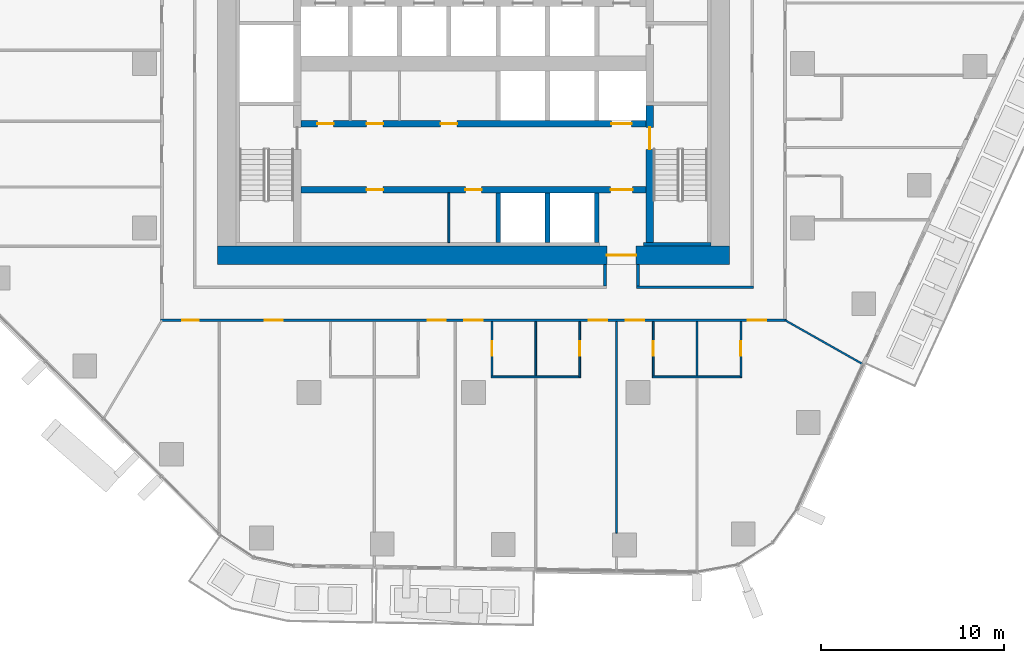
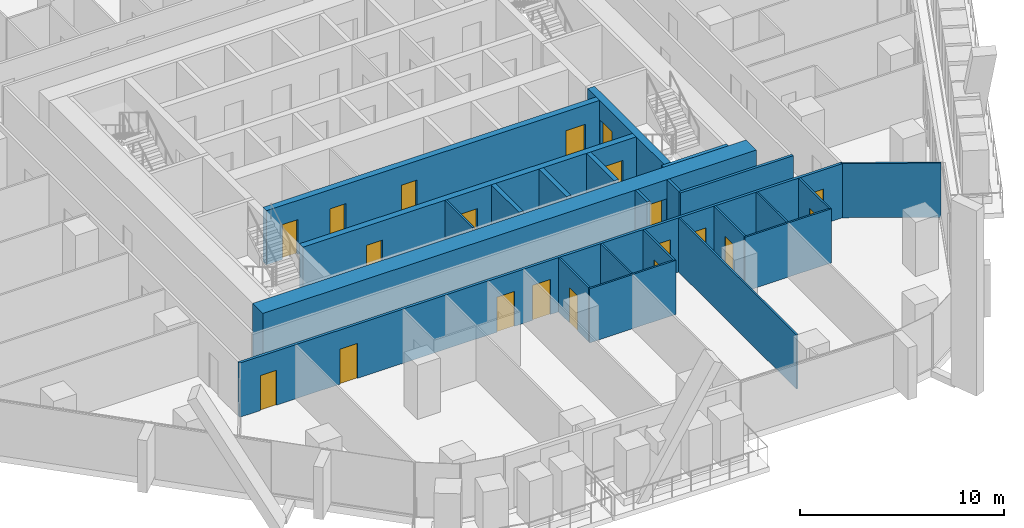
# One storey, part 14 of 26: 23 walls, 20 doors, 20 openings.
"""IFC4 building model written with IfcOpenShell, lengths in metres."""

from ifc_helpers import new_model, si_unit, direction, frame, frame_2d, origin, place, context, subcontext, project, spatial, rectangle, extrude, material, layer, layer_set, type_object, element, fill, save


model = new_model("IFC4")

# Units and contexts
model_context = context("Model", 3, precision=1e-05, world=origin(), true_north=direction((0.0, 1.0)))
body_context = subcontext(model_context, "Body", "Model", "MODEL_VIEW")
ifc_project = project(units=[si_unit("LENGTHUNIT", "METRE"), si_unit("AREAUNIT", "SQUARE_METRE"), si_unit("VOLUMEUNIT", "CUBIC_METRE"), si_unit("PLANEANGLEUNIT", "RADIAN"), si_unit("MASSUNIT", "GRAM", prefix="KILO")], contexts=[model_context])

# Site, building, storey
site_placement = place(None, origin())
site = spatial("IfcSite", under=ifc_project, at=site_placement, CompositionType="ELEMENT")
building_placement = place(site_placement, origin())
building = spatial("IfcBuilding", under=site, at=building_placement, Name="Dongbaek Canopy Tower", CompositionType="ELEMENT")
storey_placement = place(building_placement, frame((0.0, 0.0, 95.199951171875)))
storey = spatial("IfcBuildingStorey", under=building, at=storey_placement, Name="L19", CompositionType="ELEMENT", Elevation=95.199951171875)

# Wall, openings, doors
ifc_material_1 = material(Name="Concrete C60/75", Category="concrete")
ifc_layer_1 = layer(ifc_material_1, 0.35009765625)
ifc_layer_set_1 = layer_set([ifc_layer_1], Name="Core lobby wall 350 Concrete C60/75")
wall_type_1 = type_object("IfcWallType", Name="Core lobby wall 350 Concrete C60/75", PredefinedType="SHEAR", material=ifc_layer_set_1)
wall_1_placement = place(storey_placement, frame((-9.449951171875, -3.300048828125, 0.0), z_axis=(0.0, 0.0, 1.0), x_axis=(1.0, 0.0, 0.0)))
wall_1 = element("IfcWall", 1, at=wall_1_placement, inside=storey, type_object=wall_type_1, Name="Core wall", PredefinedType="SHEAR", context=body_context, shape_type="SweptSolid", body=[
    extrude(rectangle(XDim=18.89990234375, YDim=0.35009765625, at=frame_2d((9.449951171875, 0.0))), origin(), (0.0, 0.0, 1.0), 3.25),
])
opening_1_placement = place(wall_1_placement, frame((17.0, 0.0, 0.0)))
opening_1 = element("IfcOpeningElement", 2, at=opening_1_placement, cuts=wall_1, Name="Opening L19-D057", PredefinedType="OPENING", context=body_context, shape_type="SweptSolid", body=[
    extrude(rectangle(XDim=1.10009765625, YDim=2.10009765625, at=frame_2d((0.550048828125, 1.050048828125))), frame((0.0, 0.18505859375, 0.0), z_axis=(0.0, -1.0, 0.0), x_axis=(1.0, 0.0, 0.0)), (0.0, 0.0, 1.0), 0.3701171875),
])
opening_2_placement = place(wall_1_placement, frame((0.89990234375, 0.0, 0.0)))
opening_2 = element("IfcOpeningElement", 3, at=opening_2_placement, cuts=wall_1, Name="Opening L19-D060", PredefinedType="OPENING", context=body_context, shape_type="SweptSolid", body=[
    extrude(rectangle(XDim=0.89990234375, YDim=2.10009765625, at=frame_2d((0.449951171875, 1.050048828125))), frame((0.0, 0.18505859375, 0.0), z_axis=(0.0, -1.0, 0.0), x_axis=(1.0, 0.0, 0.0)), (0.0, 0.0, 1.0), 0.3701171875),
])
opening_3_placement = place(wall_1_placement, frame((3.60009765625, 0.0, 0.0)))
opening_3 = element("IfcOpeningElement", 4, at=opening_3_placement, cuts=wall_1, Name="Opening L19-D061", PredefinedType="OPENING", context=body_context, shape_type="SweptSolid", body=[
    extrude(rectangle(XDim=0.89990234375, YDim=2.10009765625, at=frame_2d((0.449951171875, 1.050048828125))), frame((0.0, 0.18505859375, 0.0), z_axis=(0.0, -1.0, 0.0), x_axis=(1.0, 0.0, 0.0)), (0.0, 0.0, 1.0), 0.3701171875),
])
opening_4_placement = place(wall_1_placement, frame((7.64990234375, 0.0, 0.0)))
opening_4 = element("IfcOpeningElement", 5, at=opening_4_placement, cuts=wall_1, Name="Opening L19-D062", PredefinedType="OPENING", context=body_context, shape_type="SweptSolid", body=[
    extrude(rectangle(XDim=0.89990234375, YDim=2.10009765625, at=frame_2d((0.449951171875, 1.050048828125))), frame((0.0, 0.18505859375, 0.0), z_axis=(0.0, -1.0, 0.0), x_axis=(1.0, 0.0, 0.0)), (0.0, 0.0, 1.0), 0.3701171875),
])
ifc_material_2 = material(Name="Steel", Category="steel")
door_type_1 = type_object("IfcDoorType", Name="Core room door 900 x 2100", OperationType="SINGLE_SWING_LEFT", PredefinedType="DOOR", material=ifc_material_2)
door_1_placement = place(opening_2_placement, origin())
door_1 = element("IfcDoor", 6, at=door_1_placement, inside=storey, type_object=door_type_1, Name="Door L19-D060", OperationType="SINGLE_SWING_RIGHT", OverallHeight=2.10009765625, OverallWidth=0.89990234375, PredefinedType="DOOR", context=body_context, shape_type="SweptSolid", body=[
    extrude(rectangle(XDim=0.89990234375, YDim=2.10009765625, at=frame_2d((0.449951171875, 1.050048828125))), frame((0.0, 0.02490234375, 0.0), z_axis=(0.0, -1.0, 0.0), x_axis=(1.0, 0.0, 0.0)), (0.0, 0.0, 1.0), 0.050048828125),
])
fill(opening_2, door_1)
door_2_placement = place(opening_3_placement, origin())
door_2 = element("IfcDoor", 7, at=door_2_placement, inside=storey, type_object=door_type_1, Name="Door L19-D061", OperationType="SINGLE_SWING_LEFT", OverallHeight=2.10009765625, OverallWidth=0.89990234375, PredefinedType="DOOR", context=body_context, shape_type="SweptSolid", body=[
    extrude(rectangle(XDim=0.89990234375, YDim=2.10009765625, at=frame_2d((0.449951171875, 1.050048828125))), frame((0.0, 0.02490234375, 0.0), z_axis=(0.0, -1.0, 0.0), x_axis=(1.0, 0.0, 0.0)), (0.0, 0.0, 1.0), 0.050048828125),
])
fill(opening_3, door_2)
door_3_placement = place(opening_4_placement, origin())
door_3 = element("IfcDoor", 8, at=door_3_placement, inside=storey, type_object=door_type_1, Name="Door L19-D062", OperationType="SINGLE_SWING_RIGHT", OverallHeight=2.10009765625, OverallWidth=0.89990234375, PredefinedType="DOOR", context=body_context, shape_type="SweptSolid", body=[
    extrude(rectangle(XDim=0.89990234375, YDim=2.10009765625, at=frame_2d((0.449951171875, 1.050048828125))), frame((0.0, 0.02490234375, 0.0), z_axis=(0.0, -1.0, 0.0), x_axis=(1.0, 0.0, 0.0)), (0.0, 0.0, 1.0), 0.050048828125),
])
fill(opening_4, door_3)
ifc_material_3 = material(Name="Stainless steel", Category="steel")
door_type_2 = type_object("IfcDoorType", Name="Lift landing door 1100 x 2100", OperationType="DOUBLE_DOOR_SLIDING", PredefinedType="DOOR", material=ifc_material_3)
door_4_placement = place(opening_1_placement, origin())
door_4 = element("IfcDoor", 9, at=door_4_placement, inside=storey, type_object=door_type_2, Name="Landing door SV2", OperationType="DOUBLE_DOOR_SLIDING", OverallHeight=2.10009765625, OverallWidth=1.10009765625, PredefinedType="DOOR", context=body_context, shape_type="SweptSolid", body=[
    extrude(rectangle(XDim=1.10009765625, YDim=2.10009765625, at=frame_2d((0.550048828125, 1.050048828125))), frame((0.0, 0.02490234375, 0.0), z_axis=(0.0, -1.0, 0.0), x_axis=(1.0, 0.0, 0.0)), (0.0, 0.0, 1.0), 0.050048828125),
])
fill(opening_1, door_4)

wall_2_placement = place(storey_placement, frame((9.449951171875, -6.89990234375, 0.0), z_axis=(0.0, 0.0, 1.0), x_axis=(-1.0, 0.0, 0.0)))
wall_2 = element("IfcWall", 10, at=wall_2_placement, inside=storey, type_object=wall_type_1, Name="Core wall", PredefinedType="SHEAR", context=body_context, shape_type="SweptSolid", body=[
    extrude(rectangle(XDim=18.89990234375, YDim=0.35009765625, at=frame_2d((9.449951171875, 0.0))), origin(), (0.0, 0.0, 1.0), 3.25),
])
opening_5_placement = place(wall_2_placement, frame((0.75, 0.0, 0.0)))
opening_5 = element("IfcOpeningElement", 11, at=opening_5_placement, cuts=wall_2, Name="Opening L19-D059", PredefinedType="OPENING", context=body_context, shape_type="SweptSolid", body=[
    extrude(rectangle(XDim=1.199951171875, YDim=2.10009765625, at=frame_2d((0.60009765625, 1.050048828125))), frame((0.0, 0.18505859375, 0.0), z_axis=(0.0, -1.0, 0.0), x_axis=(1.0, 0.0, 0.0)), (0.0, 0.0, 1.0), 0.3701171875),
])
opening_6_placement = place(wall_2_placement, frame((14.39990234375, 0.0, 0.0)))
opening_6 = element("IfcOpeningElement", 12, at=opening_6_placement, cuts=wall_2, Name="Opening L19-D063", PredefinedType="OPENING", context=body_context, shape_type="SweptSolid", body=[
    extrude(rectangle(XDim=0.89990234375, YDim=2.10009765625, at=frame_2d((0.449951171875, 1.050048828125))), frame((0.0, 0.18505859375, 0.0), z_axis=(0.0, -1.0, 0.0), x_axis=(1.0, 0.0, 0.0)), (0.0, 0.0, 1.0), 0.3701171875),
])
opening_7_placement = place(wall_2_placement, frame((9.0, 0.0, 0.0)))
opening_7 = element("IfcOpeningElement", 13, at=opening_7_placement, cuts=wall_2, Name="Opening L19-D064", PredefinedType="OPENING", context=body_context, shape_type="SweptSolid", body=[
    extrude(rectangle(XDim=0.89990234375, YDim=2.10009765625, at=frame_2d((0.449951171875, 1.050048828125))), frame((0.0, 0.18505859375, 0.0), z_axis=(0.0, -1.0, 0.0), x_axis=(1.0, 0.0, 0.0)), (0.0, 0.0, 1.0), 0.3701171875),
])
door_5_placement = place(opening_6_placement, origin())
door_5 = element("IfcDoor", 14, at=door_5_placement, inside=storey, type_object=door_type_1, Name="Door L19-D063", OperationType="SINGLE_SWING_LEFT", OverallHeight=2.10009765625, OverallWidth=0.89990234375, PredefinedType="DOOR", context=body_context, shape_type="SweptSolid", body=[
    extrude(rectangle(XDim=0.89990234375, YDim=2.10009765625, at=frame_2d((0.449951171875, 1.050048828125))), frame((0.0, 0.02490234375, 0.0), z_axis=(0.0, -1.0, 0.0), x_axis=(1.0, 0.0, 0.0)), (0.0, 0.0, 1.0), 0.050048828125),
])
fill(opening_6, door_5)
door_6_placement = place(opening_7_placement, origin())
door_6 = element("IfcDoor", 15, at=door_6_placement, inside=storey, type_object=door_type_1, Name="Door L19-D064", OperationType="SINGLE_SWING_RIGHT", OverallHeight=2.10009765625, OverallWidth=0.89990234375, PredefinedType="DOOR", context=body_context, shape_type="SweptSolid", body=[
    extrude(rectangle(XDim=0.89990234375, YDim=2.10009765625, at=frame_2d((0.449951171875, 1.050048828125))), frame((0.0, 0.02490234375, 0.0), z_axis=(0.0, -1.0, 0.0), x_axis=(1.0, 0.0, 0.0)), (0.0, 0.0, 1.0), 0.050048828125),
])
fill(opening_7, door_6)
ifc_material_4 = material(Name="Steel", Category="steel")
door_type_3 = type_object("IfcDoorType", Name="Fire lobby door 1200 x 2100", OperationType="SINGLE_SWING_LEFT", PredefinedType="DOOR", material=ifc_material_4)
door_7_placement = place(opening_5_placement, origin())
door_7 = element("IfcDoor", 16, at=door_7_placement, inside=storey, type_object=door_type_3, Name="Door L19-D059", OperationType="SINGLE_SWING_LEFT", OverallHeight=2.10009765625, OverallWidth=1.199951171875, PredefinedType="DOOR", context=body_context, shape_type="SweptSolid", body=[
    extrude(rectangle(XDim=1.199951171875, YDim=2.10009765625, at=frame_2d((0.60009765625, 1.050048828125))), frame((0.0, 0.02490234375, 0.0), z_axis=(0.0, -1.0, 0.0), x_axis=(1.0, 0.0, 0.0)), (0.0, 0.0, 1.0), 0.050048828125),
])
fill(opening_5, door_7)

# Wall, opening, door
ifc_material_5 = material(Name="Concrete C60/75", Category="concrete")
ifc_layer_2 = layer(ifc_material_5, 1.0)
ifc_layer_set_2 = layer_set([ifc_layer_2], Name="Core outer wall 1000 Concrete C60/75")
wall_type_2 = type_object("IfcWallType", Name="Core outer wall 1000 Concrete C60/75", PredefinedType="SHEAR", material=ifc_layer_set_2)
wall_3_placement = place(storey_placement, frame((14.0, -10.5, 0.0), z_axis=(0.0, 0.0, 1.0), x_axis=(-1.0, 0.0, 0.0)))
wall_3 = element("IfcWall", 17, at=wall_3_placement, inside=storey, type_object=wall_type_2, Name="Core wall", PredefinedType="SHEAR", context=body_context, shape_type="SweptSolid", body=[
    extrude(rectangle(XDim=28.0, YDim=1.0, at=frame_2d((14.0, 0.0))), origin(), (0.0, 0.0, 1.0), 3.25),
])
opening_8_placement = place(wall_3_placement, frame((5.10009765625, 0.0, 0.0)))
opening_8 = element("IfcOpeningElement", 18, at=opening_8_placement, cuts=wall_3, Name="Opening L19-D058", PredefinedType="OPENING", context=body_context, shape_type="SweptSolid", body=[
    extrude(rectangle(XDim=1.60009765625, YDim=2.10009765625, at=frame_2d((0.800048828125, 1.050048828125))), frame((0.0, 0.510009765625, 0.0), z_axis=(0.0, -1.0, 0.0), x_axis=(1.0, 0.0, 0.0)), (0.0, 0.0, 1.0), 1.02001953125),
])
ifc_material_6 = material(Name="Steel", Category="steel")
door_type_4 = type_object("IfcDoorType", Name="Core exit door 1600 x 2100", OperationType="DOUBLE_DOOR_SINGLE_SWING", PredefinedType="DOOR", material=ifc_material_6)
door_8_placement = place(opening_8_placement, origin())
door_8 = element("IfcDoor", 19, at=door_8_placement, inside=storey, type_object=door_type_4, Name="Core exit door", OperationType="DOUBLE_DOOR_SINGLE_SWING", OverallHeight=2.10009765625, OverallWidth=1.60009765625, PredefinedType="DOOR", context=body_context, shape_type="SweptSolid", body=[
    extrude(rectangle(XDim=1.60009765625, YDim=2.10009765625, at=frame_2d((0.800048828125, 1.050048828125))), frame((0.0, 0.02490234375, 0.0), z_axis=(0.0, -1.0, 0.0), x_axis=(1.0, 0.0, 0.0)), (0.0, 0.0, 1.0), 0.050048828125),
])
fill(opening_8, door_8)

# Wall
ifc_material_7 = material(Name="Concrete C60/75", Category="concrete")
ifc_layer_3 = layer(ifc_material_7, 0.199951171875)
ifc_layer_set_3 = layer_set([ifc_layer_3], Name="Core wall lining 200 Concrete C60/75")
wall_type_3 = type_object("IfcWallType", Name="Core wall lining 200 Concrete C60/75", PredefinedType="SHEAR", material=ifc_layer_set_3)
wall_4_placement = place(storey_placement, frame((13.0, -9.89990234375, 0.0), z_axis=(0.0, 0.0, 1.0), x_axis=(-1.0, 0.0, 0.0)))
element("IfcWall", 20, at=wall_4_placement, inside=storey, type_object=wall_type_3, Name="Core wall lining", PredefinedType="SHEAR", context=body_context, shape_type="SweptSolid", body=[
    extrude(rectangle(XDim=3.699951171875, YDim=0.199951171875, at=frame_2d((1.85009765625, 0.0))), origin(), (0.0, 0.0, 1.0), 3.25),
])

# Wall, openings, doors
ifc_material_8 = material(Name="Gypsum board partition, steel stud, 2 x 15 mm fire board", Category="steel")
ifc_layer_4 = layer(ifc_material_8, 0.14990234375)
ifc_layer_set_4 = layer_set([ifc_layer_4], Name="Fire-rated partition 150 gypsum board")
wall_type_4 = type_object("IfcWallType", Name="Fire-rated partition 150 gypsum board", PredefinedType="PARTITIONING", material=ifc_layer_set_4)
wall_5_placement = place(storey_placement, frame((17.125, -14.050048828125, 0.0), z_axis=(0.0, 0.0, 1.0), x_axis=(-1.0, 0.0, 0.0)))
wall_5 = element("IfcWall", 21, at=wall_5_placement, inside=storey, type_object=wall_type_4, Name="Corridor partition", PredefinedType="PARTITIONING", context=body_context, shape_type="SweptSolid", body=[
    extrude(rectangle(XDim=34.25, YDim=0.14990234375, at=frame_2d((17.125, 0.0))), origin(), (0.0, 0.0, 1.0), 3.25),
])
opening_9_placement = place(wall_5_placement, frame((32.158203125, 0.0, 0.0)))
opening_9 = element("IfcOpeningElement", 22, at=opening_9_placement, cuts=wall_5, Name="Opening L19-D004", PredefinedType="OPENING", context=body_context, shape_type="SweptSolid", body=[
    extrude(rectangle(XDim=0.89990234375, YDim=2.10009765625, at=frame_2d((0.449951171875, 1.050048828125))), frame((0.0, 0.0849609375, 0.0), z_axis=(0.0, -1.0, 0.0), x_axis=(1.0, 0.0, 0.0)), (0.0, 0.0, 1.0), 0.169921875),
])
opening_10_placement = place(wall_5_placement, frame((27.560791015625, 0.0, 0.0)))
opening_10 = element("IfcOpeningElement", 23, at=opening_10_placement, cuts=wall_5, Name="Opening L19-D006", PredefinedType="OPENING", context=body_context, shape_type="SweptSolid", body=[
    extrude(rectangle(XDim=1.0, YDim=2.10009765625, at=frame_2d((0.5, 1.050048828125))), frame((0.0, 0.0849609375, 0.0), z_axis=(0.0, -1.0, 0.0), x_axis=(1.0, 0.0, 0.0)), (0.0, 0.0, 1.0), 0.169921875),
])
opening_11_placement = place(wall_5_placement, frame((18.640380859375, 0.0, 0.0)))
opening_11 = element("IfcOpeningElement", 24, at=opening_11_placement, cuts=wall_5, Name="Opening L19-D008", PredefinedType="OPENING", context=body_context, shape_type="SweptSolid", body=[
    extrude(rectangle(XDim=1.0, YDim=2.10009765625, at=frame_2d((0.5, 1.050048828125))), frame((0.0, 0.0849609375, 0.0), z_axis=(0.0, -1.0, 0.0), x_axis=(1.0, 0.0, 0.0)), (0.0, 0.0, 1.0), 0.169921875),
])
opening_12_placement = place(wall_5_placement, frame((16.62353515625, 0.0, 0.0)))
opening_12 = element("IfcOpeningElement", 25, at=opening_12_placement, cuts=wall_5, Name="Opening L19-D010", PredefinedType="OPENING", context=body_context, shape_type="SweptSolid", body=[
    extrude(rectangle(XDim=1.0, YDim=2.10009765625, at=frame_2d((0.5, 1.050048828125))), frame((0.0, 0.0849609375, 0.0), z_axis=(0.0, -1.0, 0.0), x_axis=(1.0, 0.0, 0.0)), (0.0, 0.0, 1.0), 0.169921875),
])
opening_13_placement = place(wall_5_placement, frame((9.806640625, 0.0, 0.0)))
opening_13 = element("IfcOpeningElement", 26, at=opening_13_placement, cuts=wall_5, Name="Opening L19-D012", PredefinedType="OPENING", context=body_context, shape_type="SweptSolid", body=[
    extrude(rectangle(XDim=1.0, YDim=2.10009765625, at=frame_2d((0.5, 1.050048828125))), frame((0.0, 0.0849609375, 0.0), z_axis=(0.0, -1.0, 0.0), x_axis=(1.0, 0.0, 0.0)), (0.0, 0.0, 1.0), 0.169921875),
])
opening_14_placement = place(wall_5_placement, frame((7.794677734375, 0.0, 0.0)))
opening_14 = element("IfcOpeningElement", 27, at=opening_14_placement, cuts=wall_5, Name="Opening L19-D014", PredefinedType="OPENING", context=body_context, shape_type="SweptSolid", body=[
    extrude(rectangle(XDim=1.0, YDim=2.10009765625, at=frame_2d((0.5, 1.050048828125))), frame((0.0, 0.0849609375, 0.0), z_axis=(0.0, -1.0, 0.0), x_axis=(1.0, 0.0, 0.0)), (0.0, 0.0, 1.0), 0.169921875),
])
opening_15_placement = place(wall_5_placement, frame((1.119384765625, 0.0, 0.0)))
opening_15 = element("IfcOpeningElement", 28, at=opening_15_placement, cuts=wall_5, Name="Opening L19-D016", PredefinedType="OPENING", context=body_context, shape_type="SweptSolid", body=[
    extrude(rectangle(XDim=1.0, YDim=2.10009765625, at=frame_2d((0.5, 1.050048828125))), frame((0.0, 0.0849609375, 0.0), z_axis=(0.0, -1.0, 0.0), x_axis=(1.0, 0.0, 0.0)), (0.0, 0.0, 1.0), 0.169921875),
])
ifc_material_9 = material(Name="Timber veneered door leaf", Category="wood")
door_type_5 = type_object("IfcDoorType", Name="Guest room door 1000 x 2100", OperationType="SINGLE_SWING_LEFT", PredefinedType="DOOR", material=ifc_material_9)
door_9_placement = place(opening_10_placement, origin())
door_9 = element("IfcDoor", 29, at=door_9_placement, inside=storey, type_object=door_type_5, Name="Door L19-D006", OperationType="SINGLE_SWING_LEFT", OverallHeight=2.10009765625, OverallWidth=1.0, PredefinedType="DOOR", context=body_context, shape_type="SweptSolid", body=[
    extrude(rectangle(XDim=1.0, YDim=2.10009765625, at=frame_2d((0.5, 1.050048828125))), frame((0.0, 0.02490234375, 0.0), z_axis=(0.0, -1.0, 0.0), x_axis=(1.0, 0.0, 0.0)), (0.0, 0.0, 1.0), 0.050048828125),
])
fill(opening_10, door_9)
door_10_placement = place(opening_11_placement, origin())
door_10 = element("IfcDoor", 30, at=door_10_placement, inside=storey, type_object=door_type_5, Name="Door L19-D008", OperationType="SINGLE_SWING_RIGHT", OverallHeight=2.10009765625, OverallWidth=1.0, PredefinedType="DOOR", context=body_context, shape_type="SweptSolid", body=[
    extrude(rectangle(XDim=1.0, YDim=2.10009765625, at=frame_2d((0.5, 1.050048828125))), frame((0.0, 0.02490234375, 0.0), z_axis=(0.0, -1.0, 0.0), x_axis=(1.0, 0.0, 0.0)), (0.0, 0.0, 1.0), 0.050048828125),
])
fill(opening_11, door_10)
door_11_placement = place(opening_12_placement, origin())
door_11 = element("IfcDoor", 31, at=door_11_placement, inside=storey, type_object=door_type_5, Name="Door L19-D010", OperationType="SINGLE_SWING_LEFT", OverallHeight=2.10009765625, OverallWidth=1.0, PredefinedType="DOOR", context=body_context, shape_type="SweptSolid", body=[
    extrude(rectangle(XDim=1.0, YDim=2.10009765625, at=frame_2d((0.5, 1.050048828125))), frame((0.0, 0.02490234375, 0.0), z_axis=(0.0, -1.0, 0.0), x_axis=(1.0, 0.0, 0.0)), (0.0, 0.0, 1.0), 0.050048828125),
])
fill(opening_12, door_11)
door_12_placement = place(opening_13_placement, origin())
door_12 = element("IfcDoor", 32, at=door_12_placement, inside=storey, type_object=door_type_5, Name="Door L19-D012", OperationType="SINGLE_SWING_RIGHT", OverallHeight=2.10009765625, OverallWidth=1.0, PredefinedType="DOOR", context=body_context, shape_type="SweptSolid", body=[
    extrude(rectangle(XDim=1.0, YDim=2.10009765625, at=frame_2d((0.5, 1.050048828125))), frame((0.0, 0.02490234375, 0.0), z_axis=(0.0, -1.0, 0.0), x_axis=(1.0, 0.0, 0.0)), (0.0, 0.0, 1.0), 0.050048828125),
])
fill(opening_13, door_12)
door_13_placement = place(opening_14_placement, origin())
door_13 = element("IfcDoor", 33, at=door_13_placement, inside=storey, type_object=door_type_5, Name="Door L19-D014", OperationType="SINGLE_SWING_LEFT", OverallHeight=2.10009765625, OverallWidth=1.0, PredefinedType="DOOR", context=body_context, shape_type="SweptSolid", body=[
    extrude(rectangle(XDim=1.0, YDim=2.10009765625, at=frame_2d((0.5, 1.050048828125))), frame((0.0, 0.02490234375, 0.0), z_axis=(0.0, -1.0, 0.0), x_axis=(1.0, 0.0, 0.0)), (0.0, 0.0, 1.0), 0.050048828125),
])
fill(opening_14, door_13)
door_14_placement = place(opening_15_placement, origin())
door_14 = element("IfcDoor", 34, at=door_14_placement, inside=storey, type_object=door_type_5, Name="Door L19-D016", OperationType="SINGLE_SWING_RIGHT", OverallHeight=2.10009765625, OverallWidth=1.0, PredefinedType="DOOR", context=body_context, shape_type="SweptSolid", body=[
    extrude(rectangle(XDim=1.0, YDim=2.10009765625, at=frame_2d((0.5, 1.050048828125))), frame((0.0, 0.02490234375, 0.0), z_axis=(0.0, -1.0, 0.0), x_axis=(1.0, 0.0, 0.0)), (0.0, 0.0, 1.0), 0.050048828125),
])
fill(opening_15, door_14)
ifc_material_10 = material(Name="Timber veneered door leaf", Category="wood")
door_type_6 = type_object("IfcDoorType", Name="Room door 900 x 2100", OperationType="SINGLE_SWING_LEFT", PredefinedType="DOOR", material=ifc_material_10)
door_15_placement = place(opening_9_placement, origin())
door_15 = element("IfcDoor", 35, at=door_15_placement, inside=storey, type_object=door_type_6, Name="Door L19-D004", OperationType="SINGLE_SWING_RIGHT", OverallHeight=2.10009765625, OverallWidth=0.89990234375, PredefinedType="DOOR", context=body_context, shape_type="SweptSolid", body=[
    extrude(rectangle(XDim=0.89990234375, YDim=2.10009765625, at=frame_2d((0.449951171875, 1.050048828125))), frame((0.0, 0.02490234375, 0.0), z_axis=(0.0, -1.0, 0.0), x_axis=(1.0, 0.0, 0.0)), (0.0, 0.0, 1.0), 0.050048828125),
])
fill(opening_9, door_15)

# Walls
wall_6_placement = place(storey_placement, frame((8.925048828125, -12.25, 0.0), z_axis=(0.0, 0.0, 1.0), x_axis=(1.0, 0.0, 0.0)))
element("IfcWall", 36, at=wall_6_placement, inside=storey, type_object=wall_type_4, Name="Corridor partition", PredefinedType="PARTITIONING", context=body_context, shape_type="SweptSolid", body=[
    extrude(rectangle(XDim=6.39990234375, YDim=0.14990234375, at=frame_2d((3.199951171875, 0.0))), origin(), (0.0, 0.0, 1.0), 3.25),
])
for number, where, z_axis, x_axis, name in (
    (37, (9.0, -12.175048828125, 0.0), (0.0, 0.0, 1.0), (0.0, 1.0, 0.0), "Corridor partition"),
    (38, (7.199951171875, -12.175048828125, 0.0), (0.0, 0.0, 1.0), (0.0, 1.0, 0.0), "Corridor partition"),
):
    element("IfcWall", number, at=place(storey_placement, frame(where, z_axis=z_axis, x_axis=x_axis)), inside=storey, type_object=wall_type_4, Name=name, PredefinedType="PARTITIONING", context=body_context, shape_type="SweptSolid", body=[
        extrude(rectangle(XDim=1.175048828125, YDim=0.14990234375, at=frame_2d((0.58740234375, 0.0))), origin(), (0.0, 0.0, 1.0), 3.25),
    ])
ifc_material_11 = material(Name="Concrete C40/50", Category="concrete")
ifc_layer_5 = layer(ifc_material_11, 0.25)
ifc_layer_set_5 = layer_set([ifc_layer_5], Name="Lift shaft wall 250 Concrete C40/50")
wall_type_5 = type_object("IfcWallType", Name="Lift shaft wall 250 Concrete C40/50", PredefinedType="SOLIDWALL", material=ifc_layer_set_5)
for number, where, z_axis, x_axis, name in (
    (39, (6.75, -9.800048828125, 0.0), (0.0, 0.0, 1.0), (0.0, 1.0, 0.0), "Lift shaft wall"),
    (40, (4.050048828125, -9.800048828125, 0.0), (0.0, 0.0, 1.0), (0.0, 1.0, 0.0), "Lift shaft wall"),
    (41, (1.35009765625, -9.800048828125, 0.0), (0.0, 0.0, 1.0), (0.0, 1.0, 0.0), "Lift shaft wall"),
):
    element("IfcWall", number, at=place(storey_placement, frame(where, z_axis=z_axis, x_axis=x_axis)), inside=storey, type_object=wall_type_5, Name=name, PredefinedType="SOLIDWALL", context=body_context, shape_type="SweptSolid", body=[
        extrude(rectangle(XDim=2.72509765625, YDim=0.25, at=frame_2d((1.362548828125, 0.0))), origin(), (0.0, 0.0, 1.0), 3.25),
    ])
ifc_material_12 = material(Name="Gypsum board partition, steel stud, 2 x 12.5 mm board", Category="steel")
ifc_layer_6 = layer(ifc_material_12, 0.10009765625)
ifc_layer_set_6 = layer_set([ifc_layer_6], Name="Partition 100 gypsum board")
wall_type_6 = type_object("IfcWallType", Name="Partition 100 gypsum board", PredefinedType="PARTITIONING", material=ifc_layer_set_6)
for number, where, z_axis, x_axis, name in (
    (42, (0.9599609375, -17.14990234375, 0.0), (0.0, 0.0, 1.0), (1.0, 0.0, 0.0), "Partition"),
    (43, (9.783935546875, -17.14990234375, 0.0), (0.0, 0.0, 1.0), (1.0, 0.0, 0.0), "Partition"),
):
    element("IfcWall", number, at=place(storey_placement, frame(where, z_axis=z_axis, x_axis=x_axis)), inside=storey, type_object=wall_type_6, Name=name, PredefinedType="PARTITIONING", context=body_context, shape_type="SweptSolid", body=[
        extrude(rectangle(XDim=4.89990234375, YDim=0.10009765625, at=frame_2d((2.449951171875, 0.0))), origin(), (0.0, 0.0, 1.0), 3.25),
    ])

# Wall, opening, door
wall_7_placement = place(storey_placement, frame((14.634033203125, -17.14990234375, 0.0), z_axis=(0.0, 0.0, 1.0), x_axis=(0.0, 1.0, 0.0)))
wall_7 = element("IfcWall", 44, at=wall_7_placement, inside=storey, type_object=wall_type_6, Name="Partition", PredefinedType="PARTITIONING", context=body_context, shape_type="SweptSolid", body=[
    extrude(rectangle(XDim=3.02490234375, YDim=0.10009765625, at=frame_2d((1.512451171875, 0.0))), origin(), (0.0, 0.0, 1.0), 3.25),
])
opening_16_placement = place(wall_7_placement, frame((1.14990234375, 0.0, 0.0)))
opening_16 = element("IfcOpeningElement", 45, at=opening_16_placement, cuts=wall_7, Name="Opening L19-D015", PredefinedType="OPENING", context=body_context, shape_type="SweptSolid", body=[
    extrude(rectangle(XDim=0.800048828125, YDim=2.10009765625, at=frame_2d((0.39990234375, 1.050048828125))), frame((0.0, 0.06005859375, 0.0), z_axis=(0.0, -1.0, 0.0), x_axis=(1.0, 0.0, 0.0)), (0.0, 0.0, 1.0), 0.1201171875),
])
ifc_material_13 = material(Name="Timber veneered door leaf", Category="wood")
door_type_7 = type_object("IfcDoorType", Name="En-suite door 800 x 2100", OperationType="SINGLE_SWING_LEFT", PredefinedType="DOOR", material=ifc_material_13)
door_16_placement = place(opening_16_placement, origin())
door_16 = element("IfcDoor", 46, at=door_16_placement, inside=storey, type_object=door_type_7, Name="Door L19-D015", OperationType="SINGLE_SWING_LEFT", OverallHeight=2.10009765625, OverallWidth=0.800048828125, PredefinedType="DOOR", context=body_context, shape_type="SweptSolid", body=[
    extrude(rectangle(XDim=0.800048828125, YDim=2.10009765625, at=frame_2d((0.39990234375, 1.050048828125))), frame((0.0, 0.02490234375, 0.0), z_axis=(0.0, -1.0, 0.0), x_axis=(1.0, 0.0, 0.0)), (0.0, 0.0, 1.0), 0.050048828125),
])
fill(opening_16, door_16)

# Wall
wall_8_placement = place(storey_placement, frame((12.23388671875, -17.10009765625, 0.0), z_axis=(0.0, 0.0, 1.0), x_axis=(0.0, 1.0, 0.0)))
element("IfcWall", 47, at=wall_8_placement, inside=storey, type_object=wall_type_6, Name="Partition", PredefinedType="PARTITIONING", context=body_context, shape_type="SweptSolid", body=[
    extrude(rectangle(XDim=2.97509765625, YDim=0.10009765625, at=frame_2d((1.487548828125, 0.0))), origin(), (0.0, 0.0, 1.0), 3.25),
])

# Wall, opening, door
wall_9_placement = place(storey_placement, frame((9.833984375, -14.125, 0.0), z_axis=(0.0, 0.0, 1.0), x_axis=(0.0, -1.0, 0.0)))
wall_9 = element("IfcWall", 48, at=wall_9_placement, inside=storey, type_object=wall_type_6, Name="Partition", PredefinedType="PARTITIONING", context=body_context, shape_type="SweptSolid", body=[
    extrude(rectangle(XDim=2.97509765625, YDim=0.10009765625, at=frame_2d((1.487548828125, 0.0))), origin(), (0.0, 0.0, 1.0), 3.25),
])
opening_17_placement = place(wall_9_placement, frame((1.074951171875, 0.0, 0.0)))
opening_17 = element("IfcOpeningElement", 49, at=opening_17_placement, cuts=wall_9, Name="Opening L19-D013", PredefinedType="OPENING", context=body_context, shape_type="SweptSolid", body=[
    extrude(rectangle(XDim=0.800048828125, YDim=2.10009765625, at=frame_2d((0.39990234375, 1.050048828125))), frame((0.0, 0.06005859375, 0.0), z_axis=(0.0, -1.0, 0.0), x_axis=(1.0, 0.0, 0.0)), (0.0, 0.0, 1.0), 0.1201171875),
])
door_17_placement = place(opening_17_placement, origin())
door_17 = element("IfcDoor", 50, at=door_17_placement, inside=storey, type_object=door_type_7, Name="Door L19-D013", OperationType="SINGLE_SWING_RIGHT", OverallHeight=2.10009765625, OverallWidth=0.800048828125, PredefinedType="DOOR", context=body_context, shape_type="SweptSolid", body=[
    extrude(rectangle(XDim=0.800048828125, YDim=2.10009765625, at=frame_2d((0.39990234375, 1.050048828125))), frame((0.0, 0.02490234375, 0.0), z_axis=(0.0, -1.0, 0.0), x_axis=(1.0, 0.0, 0.0)), (0.0, 0.0, 1.0), 0.050048828125),
])
fill(opening_17, door_17)

# Wall
wall_10_placement = place(storey_placement, frame((7.826904296875, -25.698974609375, 0.0), z_axis=(0.0, 0.0, 1.0), x_axis=(0.0, 1.0, 0.0)))
element("IfcWall", 51, at=wall_10_placement, inside=storey, type_object=wall_type_6, Name="Partition", PredefinedType="PARTITIONING", context=body_context, shape_type="SweptSolid", body=[
    extrude(rectangle(XDim=11.573974609375, YDim=0.10009765625, at=frame_2d((5.787109375, 0.0))), origin(), (0.0, 0.0, 1.0), 3.25),
])

# Wall, opening, door
wall_11_placement = place(storey_placement, frame((5.81005859375, -17.14990234375, 0.0), z_axis=(0.0, 0.0, 1.0), x_axis=(0.0, 1.0, 0.0)))
wall_11 = element("IfcWall", 52, at=wall_11_placement, inside=storey, type_object=wall_type_6, Name="Partition", PredefinedType="PARTITIONING", context=body_context, shape_type="SweptSolid", body=[
    extrude(rectangle(XDim=3.02490234375, YDim=0.10009765625, at=frame_2d((1.512451171875, 0.0))), origin(), (0.0, 0.0, 1.0), 3.25),
])
opening_18_placement = place(wall_11_placement, frame((1.14990234375, 0.0, 0.0)))
opening_18 = element("IfcOpeningElement", 53, at=opening_18_placement, cuts=wall_11, Name="Opening L19-D011", PredefinedType="OPENING", context=body_context, shape_type="SweptSolid", body=[
    extrude(rectangle(XDim=0.800048828125, YDim=2.10009765625, at=frame_2d((0.39990234375, 1.050048828125))), frame((0.0, 0.06005859375, 0.0), z_axis=(0.0, -1.0, 0.0), x_axis=(1.0, 0.0, 0.0)), (0.0, 0.0, 1.0), 0.1201171875),
])
door_18_placement = place(opening_18_placement, origin())
door_18 = element("IfcDoor", 54, at=door_18_placement, inside=storey, type_object=door_type_7, Name="Door L19-D011", OperationType="SINGLE_SWING_LEFT", OverallHeight=2.10009765625, OverallWidth=0.800048828125, PredefinedType="DOOR", context=body_context, shape_type="SweptSolid", body=[
    extrude(rectangle(XDim=0.800048828125, YDim=2.10009765625, at=frame_2d((0.39990234375, 1.050048828125))), frame((0.0, 0.02490234375, 0.0), z_axis=(0.0, -1.0, 0.0), x_axis=(1.0, 0.0, 0.0)), (0.0, 0.0, 1.0), 0.050048828125),
])
fill(opening_18, door_18)

# Wall
wall_12_placement = place(storey_placement, frame((3.409912109375, -17.10009765625, 0.0), z_axis=(0.0, 0.0, 1.0), x_axis=(0.0, 1.0, 0.0)))
element("IfcWall", 55, at=wall_12_placement, inside=storey, type_object=wall_type_6, Name="Partition", PredefinedType="PARTITIONING", context=body_context, shape_type="SweptSolid", body=[
    extrude(rectangle(XDim=2.97509765625, YDim=0.10009765625, at=frame_2d((1.487548828125, 0.0))), origin(), (0.0, 0.0, 1.0), 3.25),
])

# Wall, opening, door
wall_13_placement = place(storey_placement, frame((1.010009765625, -14.125, 0.0), z_axis=(0.0, 0.0, 1.0), x_axis=(0.0, -1.0, 0.0)))
wall_13 = element("IfcWall", 56, at=wall_13_placement, inside=storey, type_object=wall_type_6, Name="Partition", PredefinedType="PARTITIONING", context=body_context, shape_type="SweptSolid", body=[
    extrude(rectangle(XDim=2.97509765625, YDim=0.10009765625, at=frame_2d((1.487548828125, 0.0))), origin(), (0.0, 0.0, 1.0), 3.25),
])
opening_19_placement = place(wall_13_placement, frame((1.074951171875, 0.0, 0.0)))
opening_19 = element("IfcOpeningElement", 57, at=opening_19_placement, cuts=wall_13, Name="Opening L19-D009", PredefinedType="OPENING", context=body_context, shape_type="SweptSolid", body=[
    extrude(rectangle(XDim=0.800048828125, YDim=2.10009765625, at=frame_2d((0.39990234375, 1.050048828125))), frame((0.0, 0.06005859375, 0.0), z_axis=(0.0, -1.0, 0.0), x_axis=(1.0, 0.0, 0.0)), (0.0, 0.0, 1.0), 0.1201171875),
])
door_19_placement = place(opening_19_placement, origin())
door_19 = element("IfcDoor", 58, at=door_19_placement, inside=storey, type_object=door_type_7, Name="Door L19-D009", OperationType="SINGLE_SWING_RIGHT", OverallHeight=2.10009765625, OverallWidth=0.800048828125, PredefinedType="DOOR", context=body_context, shape_type="SweptSolid", body=[
    extrude(rectangle(XDim=0.800048828125, YDim=2.10009765625, at=frame_2d((0.39990234375, 1.050048828125))), frame((0.0, 0.02490234375, 0.0), z_axis=(0.0, -1.0, 0.0), x_axis=(1.0, 0.0, 0.0)), (0.0, 0.0, 1.0), 0.050048828125),
])
fill(opening_19, door_19)

# Walls
wall_14_placement = place(storey_placement, frame((17.050048828125, -14.0498046875, 0.0), z_axis=(0.0, 0.0, 1.0), x_axis=(0.87059349, -0.492003023537, 0.0)))
element("IfcWall", 59, at=wall_14_placement, inside=storey, type_object=wall_type_6, Name="Partition", PredefinedType="PARTITIONING", context=body_context, shape_type="SweptSolid", body=[
    extrude(rectangle(XDim=4.895263671875, YDim=0.10009765625, at=frame_2d((2.44775390625, 0.0))), origin(), (0.0, 0.0, 1.0), 3.25),
])
wall_15_placement = place(storey_placement, frame((-1.35009765625, -9.800048828125, 0.0), z_axis=(0.0, 0.0, 1.0), x_axis=(0.0, 1.0, 0.0)))
element("IfcWall", 60, at=wall_15_placement, inside=storey, type_object=wall_type_6, Name="Core partition", PredefinedType="PARTITIONING", context=body_context, shape_type="SweptSolid", body=[
    extrude(rectangle(XDim=2.72509765625, YDim=0.10009765625, at=frame_2d((1.362548828125, 0.0))), origin(), (0.0, 0.0, 1.0), 3.25),
])

# Wall, opening, door
ifc_material_14 = material(Name="Concrete C60/75", Category="concrete")
ifc_layer_7 = layer(ifc_material_14, 0.39990234375)
ifc_layer_set_7 = layer_set([ifc_layer_7], Name="Stair wall 400 Concrete C60/75")
wall_type_7 = type_object("IfcWallType", Name="Stair wall 400 Concrete C60/75", PredefinedType="SHEAR", material=ifc_layer_set_7)
wall_16_placement = place(storey_placement, frame((9.64990234375, -2.300048828125, 0.0), z_axis=(0.0, 0.0, 1.0), x_axis=(0.0, -1.0, 0.0)))
wall_16 = element("IfcWall", 61, at=wall_16_placement, inside=storey, type_object=wall_type_7, Name="Stair wall", PredefinedType="SHEAR", context=body_context, shape_type="SweptSolid", body=[
    extrude(rectangle(XDim=7.5, YDim=0.39990234375, at=frame_2d((3.75, 0.0))), origin(), (0.0, 0.0, 1.0), 3.25),
])
opening_20_placement = place(wall_16_placement, frame((1.199951171875, 0.0, 0.0)))
opening_20 = element("IfcOpeningElement", 62, at=opening_20_placement, cuts=wall_16, Name="Opening L19-D067", PredefinedType="OPENING", context=body_context, shape_type="SweptSolid", body=[
    extrude(rectangle(XDim=1.199951171875, YDim=2.10009765625, at=frame_2d((0.60009765625, 1.050048828125))), frame((0.0, 0.2099609375, 0.0), z_axis=(0.0, -1.0, 0.0), x_axis=(1.0, 0.0, 0.0)), (0.0, 0.0, 1.0), 0.419921875),
])
ifc_material_15 = material(Name="Steel", Category="steel")
door_type_8 = type_object("IfcDoorType", Name="Stair door 1200 x 2100", OperationType="SINGLE_SWING_LEFT", PredefinedType="DOOR", material=ifc_material_15)
door_20_placement = place(opening_20_placement, origin())
door_20 = element("IfcDoor", 63, at=door_20_placement, inside=storey, type_object=door_type_8, Name="Stair B door", OperationType="SINGLE_SWING_RIGHT", OverallHeight=2.10009765625, OverallWidth=1.199951171875, PredefinedType="DOOR", context=body_context, shape_type="SweptSolid", body=[
    extrude(rectangle(XDim=1.199951171875, YDim=2.10009765625, at=frame_2d((0.60009765625, 1.050048828125))), frame((0.0, 0.02490234375, 0.0), z_axis=(0.0, -1.0, 0.0), x_axis=(1.0, 0.0, 0.0)), (0.0, 0.0, 1.0), 0.050048828125),
])
fill(opening_20, door_20)

save(model, "model.ifc")
